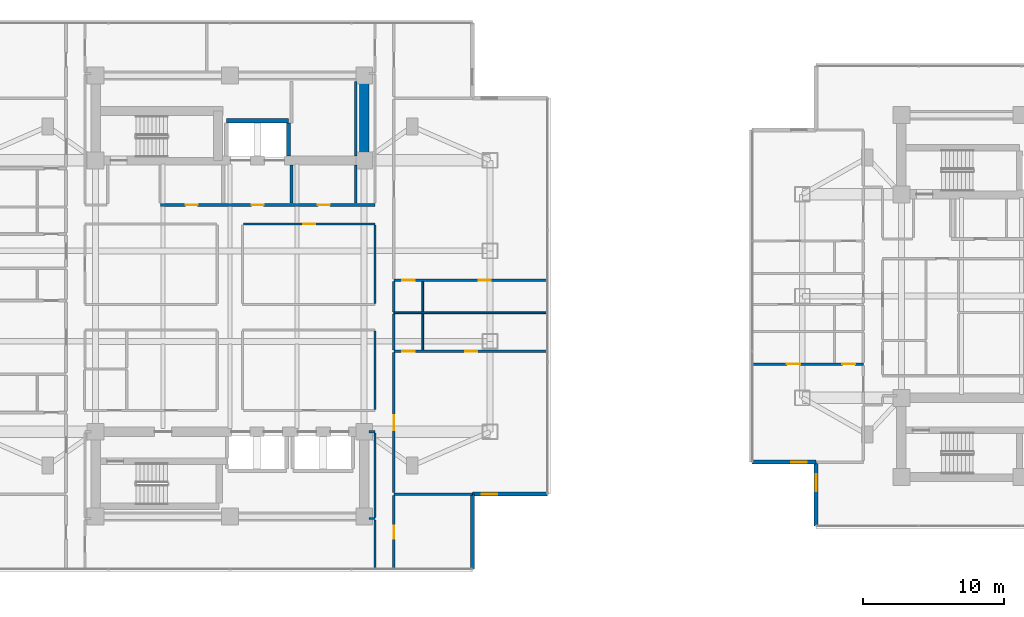
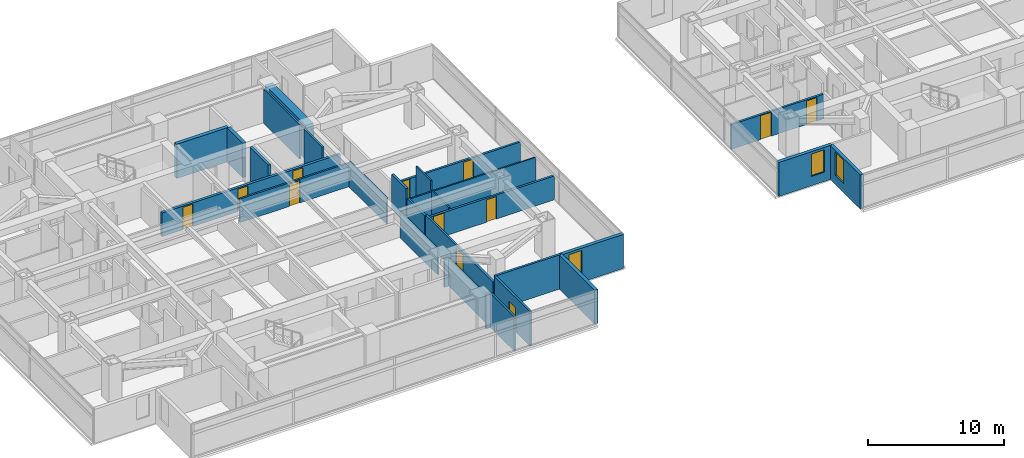
# One storey, part 16 of 26: 29 walls, 12 doors, 3 windows, 15 openings.
"""IFC4 building model written with IfcOpenShell, lengths in metres."""

from ifc_helpers import new_model, si_unit, direction, frame, frame_2d, origin, place, context, subcontext, project, spatial, rectangle, extrude, material, layer, layer_set, type_object, element, fill, save


model = new_model("IFC4")

# Units and contexts
model_context = context("Model", 3, precision=1e-05, world=origin(), true_north=direction((0.0, 1.0)))
body_context = subcontext(model_context, "Body", "Model", "MODEL_VIEW")
ifc_project = project(units=[si_unit("LENGTHUNIT", "METRE"), si_unit("AREAUNIT", "SQUARE_METRE"), si_unit("VOLUMEUNIT", "CUBIC_METRE"), si_unit("PLANEANGLEUNIT", "RADIAN"), si_unit("MASSUNIT", "GRAM", prefix="KILO")], contexts=[model_context])

# Site, building, storey
site_placement = place(None, origin())
site = spatial("IfcSite", under=ifc_project, at=site_placement, CompositionType="ELEMENT")
building_placement = place(site_placement, origin())
building = spatial("IfcBuilding", under=site, at=building_placement, Name="Mirazonda Arch Towers", CompositionType="ELEMENT")
storey_placement = place(building_placement, frame((0.0, 0.0, 114.800048828125)))
storey = spatial("IfcBuildingStorey", under=building, at=storey_placement, Name="L32", CompositionType="ELEMENT", Elevation=114.800048828125)

# Wall
ifc_material_1 = material(Name="Concrete C60/75", Category="concrete")
ifc_layer_1 = layer(ifc_material_1, 0.64990234375, Name="WALL-CORE-650")
ifc_layer_set_1 = layer_set([ifc_layer_1], Name="Concrete C60/75")
wall_type_1 = type_object("IfcWallType", Name="WALL-CORE-650", PredefinedType="SHEAR", material=ifc_layer_set_1)
wall_1_placement = place(storey_placement, frame((30.0, 37.60009765625, 0.0), z_axis=(0.0, 0.0, 1.0), x_axis=(0.0, 1.0, 0.0)))
element("IfcWall", 1, at=wall_1_placement, inside=storey, type_object=wall_type_1, Name="L32 T1N-E Core Shear Wall", PredefinedType="SHEAR", context=body_context, shape_type="SweptSolid", body=[
    extrude(rectangle(XDim=6.0, YDim=0.64990234375, at=frame_2d((3.0, 0.0))), origin(), (0.0, 0.0, 1.0), 3.079833984375),
])

# Wall, opening, window
ifc_material_2 = material(Name="Precast Concrete C40/50", Category="concrete")
ifc_layer_2 = layer(ifc_material_2, 0.280029296875, Name="WALL-EXT-WALL-280")
ifc_layer_set_2 = layer_set([ifc_layer_2], Name="Precast Concrete C40/50")
wall_type_2 = type_object("IfcWallType", Name="WALL-EXT-WALL-280", PredefinedType="SOLIDWALL", material=ifc_layer_set_2)
wall_2_placement = place(storey_placement, frame((37.6650390625, 13.990966796875, 0.0), z_axis=(0.0, 0.0, 1.0), x_axis=(1.0, 0.0, 0.0)))
wall_2 = element("IfcWall", 2, at=wall_2_placement, inside=storey, type_object=wall_type_2, Name="L32 T1 Corner Notch Return Wall WL-L32-T1-CSE1", PredefinedType="SOLIDWALL", context=body_context, shape_type="SweptSolid", body=[
    extrude(rectangle(XDim=5.304931640625, YDim=0.280029296875, at=frame_2d((2.65234375, 0.0))), origin(), (0.0, 0.0, 1.0), 3.06005859375),
])
opening_1_placement = place(wall_2_placement, frame((0.64990234375, 0.0, 0.85009765625)))
opening_1 = element("IfcOpeningElement", 3, at=opening_1_placement, cuts=wall_2, Name="Opening WN-108", PredefinedType="OPENING", context=body_context, shape_type="SweptSolid", body=[
    extrude(rectangle(XDim=1.10009765625, YDim=2.0, at=frame_2d((0.550048828125, 1.0))), frame((0.0, 0.14990234375, 0.0), z_axis=(0.0, -1.0, 0.0), x_axis=(1.0, 0.0, 0.0)), (0.0, 0.0, 1.0), 0.300048828125),
])
ifc_material_3 = material(Name="Insulated Low-E Solar Glass", Category="glass")
window_type_1 = type_object("IfcWindowType", Name="WIN-NOTCH-1100x2000", PartitioningType="SINGLE_PANEL", PredefinedType="WINDOW", material=ifc_material_3)
window_1_placement = place(opening_1_placement, origin())
window_1 = element("IfcWindow", 4, at=window_1_placement, inside=storey, type_object=window_type_1, Name="L32 Punched Facade Window WN-L32-T1-CSE1", OverallHeight=2.0, OverallWidth=1.10009765625, PartitioningType="SINGLE_PANEL", PredefinedType="WINDOW", context=body_context, shape_type="SweptSolid", body=[
    extrude(rectangle(XDim=1.10009765625, YDim=2.0, at=frame_2d((0.550048828125, 1.0))), frame((0.0, 0.030029296875, 0.0), z_axis=(0.0, -1.0, 0.0), x_axis=(1.0, 0.0, 0.0)), (0.0, 0.0, 1.0), 0.06005859375),
])
fill(opening_1, window_1)

# Wall
wall_3_placement = place(storey_placement, frame((37.6650390625, 8.68603515625, 0.0), z_axis=(0.0, 0.0, 1.0), x_axis=(0.0, 1.0, 0.0)))
element("IfcWall", 5, at=wall_3_placement, inside=storey, type_object=wall_type_2, Name="L32 T1 Corner Notch Return Wall WL-L32-T1-CSE2", PredefinedType="SOLIDWALL", context=body_context, shape_type="SweptSolid", body=[
    extrude(rectangle(XDim=5.304931640625, YDim=0.280029296875, at=frame_2d((2.65234375, 0.0))), origin(), (0.0, 0.0, 1.0), 3.06005859375),
])

# Wall, opening, window
wall_4_placement = place(storey_placement, frame((61.9697265625, 16.25244140625, 0.0), z_axis=(0.0, 0.0, 1.0), x_axis=(0.0, -1.0, 0.0)))
wall_4 = element("IfcWall", 6, at=wall_4_placement, inside=storey, type_object=wall_type_2, Name="L32 T2 Notched SW Corner Wall WL-L32-T2-CSW", PredefinedType="SOLIDWALL", context=body_context, shape_type="SweptSolid", body=[
    extrude(rectangle(XDim=4.516357421875, YDim=0.280029296875, at=frame_2d((2.25830078125, 0.0))), origin(), (0.0, 0.0, 1.0), 3.06005859375),
])
opening_2_placement = place(wall_4_placement, frame((0.85009765625, 0.0, 0.81005859375)))
opening_2 = element("IfcOpeningElement", 7, at=opening_2_placement, cuts=wall_4, Name="Opening WN-122", PredefinedType="OPENING", context=body_context, shape_type="SweptSolid", body=[
    extrude(rectangle(XDim=1.199951171875, YDim=2.10009765625, at=frame_2d((0.60009765625, 1.050048828125))), frame((0.0, 0.14990234375, 0.0), z_axis=(0.0, -1.0, 0.0), x_axis=(1.0, 0.0, 0.0)), (0.0, 0.0, 1.0), 0.300048828125),
])
window_type_2 = type_object("IfcWindowType", Name="WIN-HTL-1200x2100", PartitioningType="SINGLE_PANEL", PredefinedType="WINDOW", material=ifc_material_3)
window_2_placement = place(opening_2_placement, origin())
window_2 = element("IfcWindow", 8, at=window_2_placement, inside=storey, type_object=window_type_2, Name="L32 Punched Facade Window WN-L32-T2-CSW", OverallHeight=2.10009765625, OverallWidth=1.199951171875, PartitioningType="SINGLE_PANEL", PredefinedType="WINDOW", context=body_context, shape_type="SweptSolid", body=[
    extrude(rectangle(XDim=1.199951171875, YDim=2.10009765625, at=frame_2d((0.60009765625, 1.050048828125))), frame((0.0, 0.030029296875, 0.0), z_axis=(0.0, -1.0, 0.0), x_axis=(1.0, 0.0, 0.0)), (0.0, 0.0, 1.0), 0.06005859375),
])
fill(opening_2, window_2)

wall_5_placement = place(storey_placement, frame((57.45361328125, 16.25244140625, 0.0), z_axis=(0.0, 0.0, 1.0), x_axis=(1.0, 0.0, 0.0)))
wall_5 = element("IfcWall", 9, at=wall_5_placement, inside=storey, type_object=wall_type_2, Name="L32 T2 Corner Notch Return Wall WL-L32-T2-CSW2", PredefinedType="SOLIDWALL", context=body_context, shape_type="SweptSolid", body=[
    extrude(rectangle(XDim=4.51611328125, YDim=0.280029296875, at=frame_2d((2.258056640625, 0.0))), origin(), (0.0, 0.0, 1.0), 3.06005859375),
])
opening_3_placement = place(wall_5_placement, frame((2.76611328125, 0.0, 0.85009765625)))
opening_3 = element("IfcOpeningElement", 10, at=opening_3_placement, cuts=wall_5, Name="Opening WN-108", PredefinedType="OPENING", context=body_context, shape_type="SweptSolid", body=[
    extrude(rectangle(XDim=1.10009765625, YDim=2.0, at=frame_2d((0.550048828125, 1.0))), frame((0.0, 0.14990234375, 0.0), z_axis=(0.0, -1.0, 0.0), x_axis=(1.0, 0.0, 0.0)), (0.0, 0.0, 1.0), 0.300048828125),
])
window_3_placement = place(opening_3_placement, origin())
window_3 = element("IfcWindow", 11, at=window_3_placement, inside=storey, type_object=window_type_1, Name="L32 Punched Facade Window WN-L32-T2-CSW2", OverallHeight=2.0, OverallWidth=1.10009765625, PartitioningType="SINGLE_PANEL", PredefinedType="WINDOW", context=body_context, shape_type="SweptSolid", body=[
    extrude(rectangle(XDim=1.10009765625, YDim=2.0, at=frame_2d((0.550048828125, 1.0))), frame((0.0, 0.030029296875, 0.0), z_axis=(0.0, -1.0, 0.0), x_axis=(1.0, 0.0, 0.0)), (0.0, 0.0, 1.0), 0.06005859375),
])
fill(opening_3, window_3)

# Wall, openings, doors
ifc_material_4 = material(Name="Concrete C40/50", Category="concrete")
ifc_layer_3 = layer(ifc_material_4, 0.219970703125, Name="WALL-FFL-220")
ifc_layer_set_3 = layer_set([ifc_layer_3], Name="Concrete C40/50")
wall_type_3 = type_object("IfcWallType", Name="WALL-FFL-220", PredefinedType="SOLIDWALL", material=ifc_layer_set_3)
wall_6_placement = place(storey_placement, frame((15.590087890625, 34.449951171875, 0.0), z_axis=(0.0, 0.0, 1.0), x_axis=(1.0, 0.0, 0.0)))
wall_6 = element("IfcWall", 12, at=wall_6_placement, inside=storey, type_object=wall_type_3, Name="L32 Interior Partition 052", PredefinedType="SOLIDWALL", context=body_context, shape_type="SweptSolid", body=[
    extrude(rectangle(XDim=15.169921875, YDim=0.219970703125, at=frame_2d((7.5849609375, 0.0))), origin(), (0.0, 0.0, 1.0), 2.1240234375),
])
opening_4_placement = place(wall_6_placement, frame((6.43505859375, 0.0, 0.0)))
opening_4 = element("IfcOpeningElement", 13, at=opening_4_placement, cuts=wall_6, Name="Opening DR-128", PredefinedType="OPENING", context=body_context, shape_type="SweptSolid", body=[
    extrude(rectangle(XDim=0.85009765625, YDim=2.010009765625, at=frame_2d((0.425048828125, 1.0048828125))), frame((0.0, 0.119873046875, 0.0), z_axis=(0.0, -1.0, 0.0), x_axis=(1.0, 0.0, 0.0)), (0.0, 0.0, 1.0), 0.239990234375),
])
opening_5_placement = place(wall_6_placement, frame((11.135009765625, 0.0, 0.0)))
opening_5 = element("IfcOpeningElement", 14, at=opening_5_placement, cuts=wall_6, Name="Opening DR-128", PredefinedType="OPENING", context=body_context, shape_type="SweptSolid", body=[
    extrude(rectangle(XDim=0.85009765625, YDim=2.010009765625, at=frame_2d((0.425048828125, 1.0048828125))), frame((0.0, 0.119873046875, 0.0), z_axis=(0.0, -1.0, 0.0), x_axis=(1.0, 0.0, 0.0)), (0.0, 0.0, 1.0), 0.239990234375),
])
opening_6_placement = place(wall_6_placement, frame((1.77490234375, 0.0, 0.0)))
opening_6 = element("IfcOpeningElement", 15, at=opening_6_placement, cuts=wall_6, Name="Opening DR-128", PredefinedType="OPENING", context=body_context, shape_type="SweptSolid", body=[
    extrude(rectangle(XDim=0.85009765625, YDim=2.010009765625, at=frame_2d((0.425048828125, 1.0048828125))), frame((0.0, 0.119873046875, 0.0), z_axis=(0.0, -1.0, 0.0), x_axis=(1.0, 0.0, 0.0)), (0.0, 0.0, 1.0), 0.239990234375),
])
ifc_material_5 = material(Name="Architectural Brushed Steel S355", Category="steel")
door_type_1 = type_object("IfcDoorType", Name="DOOR-RISER-FD60-850", OperationType="NOTDEFINED", PredefinedType="DOOR", material=ifc_material_5)
door_1_placement = place(opening_4_placement, origin())
door_1 = element("IfcDoor", 16, at=door_1_placement, inside=storey, type_object=door_type_1, Name="L32 Firefighting Lift Lobby Door", OperationType="SINGLE_SWING_RIGHT", OverallHeight=2.010009765625, OverallWidth=0.85009765625, PredefinedType="DOOR", context=body_context, shape_type="SweptSolid", body=[
    extrude(rectangle(XDim=0.85009765625, YDim=2.010009765625, at=frame_2d((0.425048828125, 1.0048828125))), frame((0.0, 0.02490234375, 0.0), z_axis=(0.0, -1.0, 0.0), x_axis=(1.0, 0.0, 0.0)), (0.0, 0.0, 1.0), 0.050048828125),
])
fill(opening_4, door_1)
door_2_placement = place(opening_5_placement, origin())
door_2 = element("IfcDoor", 17, at=door_2_placement, inside=storey, type_object=door_type_1, Name="L32 Executive Reading Library Door", OperationType="SINGLE_SWING_LEFT", OverallHeight=2.010009765625, OverallWidth=0.85009765625, PredefinedType="DOOR", context=body_context, shape_type="SweptSolid", body=[
    extrude(rectangle(XDim=0.85009765625, YDim=2.010009765625, at=frame_2d((0.425048828125, 1.0048828125))), frame((0.0, 0.02490234375, 0.0), z_axis=(0.0, -1.0, 0.0), x_axis=(1.0, 0.0, 0.0)), (0.0, 0.0, 1.0), 0.050048828125),
])
fill(opening_5, door_2)
door_3_placement = place(opening_6_placement, origin())
door_3 = element("IfcDoor", 18, at=door_3_placement, inside=storey, type_object=door_type_1, Name="L32 Housekeeping Linen Room Door", OperationType="SINGLE_SWING_RIGHT", OverallHeight=2.010009765625, OverallWidth=0.85009765625, PredefinedType="DOOR", context=body_context, shape_type="SweptSolid", body=[
    extrude(rectangle(XDim=0.85009765625, YDim=2.010009765625, at=frame_2d((0.425048828125, 1.0048828125))), frame((0.0, 0.02490234375, 0.0), z_axis=(0.0, -1.0, 0.0), x_axis=(1.0, 0.0, 0.0)), (0.0, 0.0, 1.0), 0.050048828125),
])
fill(opening_6, door_3)

# Walls
wall_7_placement = place(storey_placement, frame((24.85009765625, 34.570068359375, 0.0), z_axis=(0.0, 0.0, 1.0), x_axis=(0.0, 1.0, 0.0)))
element("IfcWall", 19, at=wall_7_placement, inside=storey, type_object=wall_type_3, Name="L32 Interior Partition 103", PredefinedType="SOLIDWALL", context=body_context, shape_type="SweptSolid", body=[
    extrude(rectangle(XDim=2.7099609375, YDim=0.219970703125, at=frame_2d((1.35498046875, 0.0))), origin(), (0.0, 0.0, 1.0), 3.079833984375),
])
ifc_material_6 = material(Name="Fire-Rated Gypsum Stud Partition")
ifc_layer_4 = layer(ifc_material_6, 0.14990234375, Name="WALL-PART-CORR-150")
ifc_layer_set_4 = layer_set([ifc_layer_4], Name="Fire-Rated Gypsum Stud Partition")
wall_type_4 = type_object("IfcWallType", Name="WALL-PART-CORR-150", PredefinedType="PARTITIONING", material=ifc_layer_set_4)
wall_8_placement = place(storey_placement, frame((30.320068359375, 12.25, 0.0), z_axis=(0.0, 0.0, 1.0), x_axis=(1.0, 0.0, 0.0)))
element("IfcWall", 20, at=wall_8_placement, inside=storey, type_object=wall_type_4, Name="L32 Interior Partition 002", PredefinedType="PARTITIONING", context=body_context, shape_type="SweptSolid", body=[
    extrude(rectangle(XDim=0.43994140625, YDim=0.14990234375, at=frame_2d((0.219970703125, 0.0))), origin(), (0.0, 0.0, 1.0), 3.079833984375),
])
wall_9_placement = place(storey_placement, frame((30.320068359375, 18.39990234375, 0.0), z_axis=(0.0, 0.0, 1.0), x_axis=(1.0, 0.0, 0.0)))
element("IfcWall", 21, at=wall_9_placement, inside=storey, type_object=wall_type_4, Name="L32 Interior Partition 013", PredefinedType="PARTITIONING", context=body_context, shape_type="SweptSolid", body=[
    extrude(rectangle(XDim=0.43994140625, YDim=0.14990234375, at=frame_2d((0.219970703125, 0.0))), origin(), (0.0, 0.0, 1.0), 2.4560546875),
])

# Wall, opening, door
wall_10_placement = place(storey_placement, frame((21.43994140625, 33.10009765625, 0.0), z_axis=(0.0, 0.0, 1.0), x_axis=(1.0, 0.0, 0.0)))
wall_10 = element("IfcWall", 22, at=wall_10_placement, inside=storey, type_object=wall_type_4, Name="L32 Interior Partition 049", PredefinedType="PARTITIONING", context=body_context, shape_type="SweptSolid", body=[
    extrude(rectangle(XDim=9.320068359375, YDim=0.14990234375, at=frame_2d((4.66015625, 0.0))), origin(), (0.0, 0.0, 1.0), 2.1240234375),
])
opening_7_placement = place(wall_10_placement, frame((4.235107421875, 0.0, 0.0)))
opening_7 = element("IfcOpeningElement", 23, at=opening_7_placement, cuts=wall_10, Name="Opening DR-128", PredefinedType="OPENING", context=body_context, shape_type="SweptSolid", body=[
    extrude(rectangle(XDim=0.85009765625, YDim=2.010009765625, at=frame_2d((0.425048828125, 1.0048828125))), frame((0.0, 0.0849609375, 0.0), z_axis=(0.0, -1.0, 0.0), x_axis=(1.0, 0.0, 0.0)), (0.0, 0.0, 1.0), 0.169921875),
])
door_4_placement = place(opening_7_placement, origin())
door_4 = element("IfcDoor", 24, at=door_4_placement, inside=storey, type_object=door_type_1, Name="L32 L32 North-East Cruciform Study Door", OperationType="SINGLE_SWING_LEFT", OverallHeight=2.010009765625, OverallWidth=0.85009765625, PredefinedType="DOOR", context=body_context, shape_type="SweptSolid", body=[
    extrude(rectangle(XDim=0.85009765625, YDim=2.010009765625, at=frame_2d((0.425048828125, 1.0048828125))), frame((0.0, 0.02490234375, 0.0), z_axis=(0.0, -1.0, 0.0), x_axis=(1.0, 0.0, 0.0)), (0.0, 0.0, 1.0), 0.050048828125),
])
fill(opening_7, door_4)

# Walls
wall_11_placement = place(storey_placement, frame((29.39990234375, 34.570068359375, 0.0), z_axis=(0.0, 0.0, 1.0), x_axis=(0.0, 1.0, 0.0)))
element("IfcWall", 25, at=wall_11_placement, inside=storey, type_object=wall_type_4, Name="L32 Interior Partition 106", PredefinedType="PARTITIONING", context=body_context, shape_type="SweptSolid", body=[
    extrude(rectangle(XDim=2.7099609375, YDim=0.14990234375, at=frame_2d((1.35498046875, 0.0))), origin(), (0.0, 0.0, 1.0), 3.079833984375),
])
wall_12_placement = place(storey_placement, frame((29.39990234375, 37.919921875, 0.0), z_axis=(0.0, 0.0, 1.0), x_axis=(0.0, 1.0, 0.0)))
element("IfcWall", 26, at=wall_12_placement, inside=storey, type_object=wall_type_4, Name="L32 Interior Partition 107", PredefinedType="PARTITIONING", context=body_context, shape_type="SweptSolid", body=[
    extrude(rectangle(XDim=5.280029296875, YDim=0.14990234375, at=frame_2d((2.64013671875, 0.0))), origin(), (0.0, 0.0, 1.0), 3.079833984375),
])
wall_13_placement = place(storey_placement, frame((30.760009765625, 8.68603515625, 0.0), z_axis=(0.0, 0.0, 1.0), x_axis=(0.0, 1.0, 0.0)))
element("IfcWall", 27, at=wall_13_placement, inside=storey, type_object=wall_type_4, Name="L32 Interior Partition 108", PredefinedType="PARTITIONING", context=body_context, shape_type="SweptSolid", body=[
    extrude(rectangle(XDim=3.47900390625, YDim=0.14990234375, at=frame_2d((1.739501953125, 0.0))), origin(), (0.0, 0.0, 1.0), 3.079833984375),
])
wall_14_placement = place(storey_placement, frame((30.760009765625, 12.3349609375, 0.0), z_axis=(0.0, 0.0, 1.0), x_axis=(0.0, 1.0, 0.0)))
element("IfcWall", 28, at=wall_14_placement, inside=storey, type_object=wall_type_4, Name="L32 Interior Partition 109", PredefinedType="PARTITIONING", context=body_context, shape_type="SweptSolid", body=[
    extrude(rectangle(XDim=5.97998046875, YDim=0.14990234375, at=frame_2d((2.989990234375, 0.0))), origin(), (0.0, 0.0, 1.0), 2.4560546875),
])
for number, where, z_axis, x_axis, name in (
    (29, (30.760009765625, 19.985107421875, 0.0), (0.0, 0.0, 1.0), (0.0, 1.0, 0.0), "L32 Interior Partition 110"),
    (30, (30.760009765625, 27.485107421875, 0.0), (0.0, 0.0, 1.0), (0.0, 1.0, 0.0), "L32 Interior Partition 111"),
):
    element("IfcWall", number, at=place(storey_placement, frame(where, z_axis=z_axis, x_axis=x_axis)), inside=storey, type_object=wall_type_4, Name=name, PredefinedType="PARTITIONING", context=body_context, shape_type="SweptSolid", body=[
        extrude(rectangle(XDim=5.52978515625, YDim=0.14990234375, at=frame_2d((2.764892578125, 0.0))), origin(), (0.0, 0.0, 1.0), 2.299072265625),
    ])
ifc_material_7 = material(Name="Fire-Rated Gypsum Twin-Stud Assembly")
ifc_layer_5 = layer(ifc_material_7, 0.179931640625, Name="WALL-PART-DEMISE-180")
ifc_layer_set_5 = layer_set([ifc_layer_5], Name="Fire-Rated Gypsum Twin-Stud Assembly")
wall_type_5 = type_object("IfcWallType", Name="WALL-PART-DEMISE-180", PredefinedType="PARTITIONING", material=ifc_layer_set_5)
wall_15_placement = place(storey_placement, frame((32.10009765625, 13.990966796875, 0.0), z_axis=(0.0, 0.0, 1.0), x_axis=(1.0, 0.0, 0.0)))
element("IfcWall", 31, at=wall_15_placement, inside=storey, type_object=wall_type_5, Name="L32 Interior Partition 005", PredefinedType="PARTITIONING", context=body_context, shape_type="SweptSolid", body=[
    extrude(rectangle(XDim=5.544921875, YDim=0.179931640625, at=frame_2d((2.7724609375, 0.0))), origin(), (0.0, 0.0, 1.0), 3.079833984375),
])

# Wall, openings, doors
wall_16_placement = place(storey_placement, frame((57.452880859375, 23.19189453125, 0.0), z_axis=(0.0, 0.0, 1.0), x_axis=(1.0, 0.0, 0.0)))
wall_16 = element("IfcWall", 32, at=wall_16_placement, inside=storey, type_object=wall_type_5, Name="L32 Interior Partition 025", PredefinedType="PARTITIONING", context=body_context, shape_type="SweptSolid", body=[
    extrude(rectangle(XDim=7.8671875, YDim=0.179931640625, at=frame_2d((3.93359375, 0.0))), origin(), (0.0, 0.0, 1.0), 2.216064453125),
])
opening_8_placement = place(wall_16_placement, frame((2.45849609375, 0.0, 0.0)))
opening_8 = element("IfcOpeningElement", 33, at=opening_8_placement, cuts=wall_16, Name="Opening DR-104", PredefinedType="OPENING", context=body_context, shape_type="SweptSolid", body=[
    extrude(rectangle(XDim=0.949951171875, YDim=2.14990234375, at=frame_2d((0.47509765625, 1.074951171875))), frame((0.0, 0.099853515625, 0.0), z_axis=(0.0, -1.0, 0.0), x_axis=(1.0, 0.0, 0.0)), (0.0, 0.0, 1.0), 0.199951171875),
])
opening_9_placement = place(wall_16_placement, frame((6.376953125, 0.0, 0.0)))
opening_9 = element("IfcOpeningElement", 34, at=opening_9_placement, cuts=wall_16, Name="Opening DR-120", PredefinedType="OPENING", context=body_context, shape_type="SweptSolid", body=[
    extrude(rectangle(XDim=0.89990234375, YDim=2.10009765625, at=frame_2d((0.449951171875, 1.050048828125))), frame((0.0, 0.099853515625, 0.0), z_axis=(0.0, -1.0, 0.0), x_axis=(1.0, 0.0, 0.0)), (0.0, 0.0, 1.0), 0.199951171875),
])
door_type_2 = type_object("IfcDoorType", Name="DOOR-ROOM-950", OperationType="NOTDEFINED", PredefinedType="DOOR", material=ifc_material_5)
door_5_placement = place(opening_8_placement, origin())
door_5 = element("IfcDoor", 35, at=door_5_placement, inside=storey, type_object=door_type_2, Name="L32 Studio 1 Galley Kitchen Door", OperationType="SINGLE_SWING_RIGHT", OverallHeight=2.14990234375, OverallWidth=0.949951171875, PredefinedType="DOOR", context=body_context, shape_type="SweptSolid", body=[
    extrude(rectangle(XDim=0.949951171875, YDim=2.14990234375, at=frame_2d((0.47509765625, 1.074951171875))), frame((0.0, 0.02490234375, 0.0), z_axis=(0.0, -1.0, 0.0), x_axis=(1.0, 0.0, 0.0)), (0.0, 0.0, 1.0), 0.050048828125),
])
fill(opening_8, door_5)
door_type_3 = type_object("IfcDoorType", Name="DOOR-WC-900", OperationType="NOTDEFINED", PredefinedType="DOOR", material=ifc_material_5)
door_6_placement = place(opening_9_placement, origin())
door_6 = element("IfcDoor", 36, at=door_6_placement, inside=storey, type_object=door_type_3, Name="L32 Studio 1 Bathroom Door", OperationType="SINGLE_SWING_LEFT", OverallHeight=2.10009765625, OverallWidth=0.89990234375, PredefinedType="DOOR", context=body_context, shape_type="SweptSolid", body=[
    extrude(rectangle(XDim=0.89990234375, YDim=2.10009765625, at=frame_2d((0.449951171875, 1.050048828125))), frame((0.0, 0.02490234375, 0.0), z_axis=(0.0, -1.0, 0.0), x_axis=(1.0, 0.0, 0.0)), (0.0, 0.0, 1.0), 0.050048828125),
])
fill(opening_9, door_6)

wall_17_placement = place(storey_placement, frame((32.10009765625, 24.096923828125, 0.0), z_axis=(0.0, 0.0, 1.0), x_axis=(1.0, 0.0, 0.0)))
wall_17 = element("IfcWall", 37, at=wall_17_placement, inside=storey, type_object=wall_type_5, Name="L32 Interior Partition 026", PredefinedType="PARTITIONING", context=body_context, shape_type="SweptSolid", body=[
    extrude(rectangle(XDim=10.869873046875, YDim=0.179931640625, at=frame_2d((5.43505859375, 0.0))), origin(), (0.0, 0.0, 1.0), 2.14501953125),
])
opening_10_placement = place(wall_17_placement, frame((5.06005859375, 0.0, 0.0)))
opening_10 = element("IfcOpeningElement", 38, at=opening_10_placement, cuts=wall_17, Name="Opening DR-128", PredefinedType="OPENING", context=body_context, shape_type="SweptSolid", body=[
    extrude(rectangle(XDim=0.85009765625, YDim=2.010009765625, at=frame_2d((0.425048828125, 1.0048828125))), frame((0.0, 0.099853515625, 0.0), z_axis=(0.0, -1.0, 0.0), x_axis=(1.0, 0.0, 0.0)), (0.0, 0.0, 1.0), 0.199951171875),
])
opening_11_placement = place(wall_17_placement, frame((0.590087890625, 0.0, 0.0)))
opening_11 = element("IfcOpeningElement", 39, at=opening_11_placement, cuts=wall_17, Name="Opening DR-120", PredefinedType="OPENING", context=body_context, shape_type="SweptSolid", body=[
    extrude(rectangle(XDim=0.89990234375, YDim=2.10009765625, at=frame_2d((0.449951171875, 1.050048828125))), frame((0.0, 0.099853515625, 0.0), z_axis=(0.0, -1.0, 0.0), x_axis=(1.0, 0.0, 0.0)), (0.0, 0.0, 1.0), 0.199951171875),
])
door_7_placement = place(opening_10_placement, origin())
door_7 = element("IfcDoor", 40, at=door_7_placement, inside=storey, type_object=door_type_1, Name="L32 Suite Bedroom 1 Door", OperationType="SINGLE_SWING_LEFT", OverallHeight=2.010009765625, OverallWidth=0.85009765625, PredefinedType="DOOR", context=body_context, shape_type="SweptSolid", body=[
    extrude(rectangle(XDim=0.85009765625, YDim=2.010009765625, at=frame_2d((0.425048828125, 1.0048828125))), frame((0.0, 0.02490234375, 0.0), z_axis=(0.0, -1.0, 0.0), x_axis=(1.0, 0.0, 0.0)), (0.0, 0.0, 1.0), 0.050048828125),
])
fill(opening_10, door_7)
door_8_placement = place(opening_11_placement, origin())
door_8 = element("IfcDoor", 41, at=door_8_placement, inside=storey, type_object=door_type_3, Name="L32 Suite En-Suite Bathroom 1 Door", OperationType="SINGLE_SWING_RIGHT", OverallHeight=2.10009765625, OverallWidth=0.89990234375, PredefinedType="DOOR", context=body_context, shape_type="SweptSolid", body=[
    extrude(rectangle(XDim=0.89990234375, YDim=2.10009765625, at=frame_2d((0.449951171875, 1.050048828125))), frame((0.0, 0.02490234375, 0.0), z_axis=(0.0, -1.0, 0.0), x_axis=(1.0, 0.0, 0.0)), (0.0, 0.0, 1.0), 0.050048828125),
])
fill(opening_11, door_8)

wall_18_placement = place(storey_placement, frame((32.10009765625, 29.116943359375, 0.0), z_axis=(0.0, 0.0, 1.0), x_axis=(1.0, 0.0, 0.0)))
wall_18 = element("IfcWall", 42, at=wall_18_placement, inside=storey, type_object=wall_type_5, Name="L32 Interior Partition 039", PredefinedType="PARTITIONING", context=body_context, shape_type="SweptSolid", body=[
    extrude(rectangle(XDim=10.869873046875, YDim=0.179931640625, at=frame_2d((5.43505859375, 0.0))), origin(), (0.0, 0.0, 1.0), 2.14501953125),
])
opening_12_placement = place(wall_18_placement, frame((6.010009765625, 0.0, 0.0)))
opening_12 = element("IfcOpeningElement", 43, at=opening_12_placement, cuts=wall_18, Name="Opening DR-128", PredefinedType="OPENING", context=body_context, shape_type="SweptSolid", body=[
    extrude(rectangle(XDim=0.85009765625, YDim=2.010009765625, at=frame_2d((0.425048828125, 1.0048828125))), frame((0.0, 0.099853515625, 0.0), z_axis=(0.0, -1.0, 0.0), x_axis=(1.0, 0.0, 0.0)), (0.0, 0.0, 1.0), 0.199951171875),
])
opening_13_placement = place(wall_18_placement, frame((0.590087890625, 0.0, 0.0)))
opening_13 = element("IfcOpeningElement", 44, at=opening_13_placement, cuts=wall_18, Name="Opening DR-120", PredefinedType="OPENING", context=body_context, shape_type="SweptSolid", body=[
    extrude(rectangle(XDim=0.89990234375, YDim=2.10009765625, at=frame_2d((0.449951171875, 1.050048828125))), frame((0.0, 0.099853515625, 0.0), z_axis=(0.0, -1.0, 0.0), x_axis=(1.0, 0.0, 0.0)), (0.0, 0.0, 1.0), 0.199951171875),
])
door_9_placement = place(opening_12_placement, origin())
door_9 = element("IfcDoor", 45, at=door_9_placement, inside=storey, type_object=door_type_1, Name="L32 Suite Bedroom 2 Door", OperationType="SINGLE_SWING_RIGHT", OverallHeight=2.010009765625, OverallWidth=0.85009765625, PredefinedType="DOOR", context=body_context, shape_type="SweptSolid", body=[
    extrude(rectangle(XDim=0.85009765625, YDim=2.010009765625, at=frame_2d((0.425048828125, 1.0048828125))), frame((0.0, 0.02490234375, 0.0), z_axis=(0.0, -1.0, 0.0), x_axis=(1.0, 0.0, 0.0)), (0.0, 0.0, 1.0), 0.050048828125),
])
fill(opening_12, door_9)
door_10_placement = place(opening_13_placement, origin())
door_10 = element("IfcDoor", 46, at=door_10_placement, inside=storey, type_object=door_type_3, Name="L32 Suite En-Suite Bathroom 2 Door", OperationType="SINGLE_SWING_LEFT", OverallHeight=2.10009765625, OverallWidth=0.89990234375, PredefinedType="DOOR", context=body_context, shape_type="SweptSolid", body=[
    extrude(rectangle(XDim=0.89990234375, YDim=2.10009765625, at=frame_2d((0.449951171875, 1.050048828125))), frame((0.0, 0.02490234375, 0.0), z_axis=(0.0, -1.0, 0.0), x_axis=(1.0, 0.0, 0.0)), (0.0, 0.0, 1.0), 0.050048828125),
])
fill(opening_13, door_10)

# Wall, opening, door
wall_19_placement = place(storey_placement, frame((32.10009765625, 8.68603515625, 0.0), z_axis=(0.0, 0.0, 1.0), x_axis=(0.0, 1.0, 0.0)))
wall_19 = element("IfcWall", 47, at=wall_19_placement, inside=storey, type_object=wall_type_5, Name="L32 Interior Partition 114", PredefinedType="PARTITIONING", context=body_context, shape_type="SweptSolid", body=[
    extrude(rectangle(XDim=5.205078125, YDim=0.179931640625, at=frame_2d((2.6025390625, 0.0))), origin(), (0.0, 0.0, 1.0), 3.079833984375),
])
opening_14_placement = place(wall_19_placement, frame((2.12744140625, 0.0, 0.0)))
opening_14 = element("IfcOpeningElement", 48, at=opening_14_placement, cuts=wall_19, Name="Opening DR-104", PredefinedType="OPENING", context=body_context, shape_type="SweptSolid", body=[
    extrude(rectangle(XDim=0.949951171875, YDim=2.14990234375, at=frame_2d((0.47509765625, 1.074951171875))), frame((0.0, 0.099853515625, 0.0), z_axis=(0.0, -1.0, 0.0), x_axis=(1.0, 0.0, 0.0)), (0.0, 0.0, 1.0), 0.199951171875),
])
door_11_placement = place(opening_14_placement, origin())
door_11 = element("IfcDoor", 49, at=door_11_placement, inside=storey, type_object=door_type_2, Name="L32 South Horizon Lounge Alcove East Door", OperationType="SINGLE_SWING_RIGHT", OverallHeight=2.14990234375, OverallWidth=0.949951171875, PredefinedType="DOOR", context=body_context, shape_type="SweptSolid", body=[
    extrude(rectangle(XDim=0.949951171875, YDim=2.14990234375, at=frame_2d((0.47509765625, 1.074951171875))), frame((0.0, 0.02490234375, 0.0), z_axis=(0.0, -1.0, 0.0), x_axis=(1.0, 0.0, 0.0)), (0.0, 0.0, 1.0), 0.050048828125),
])
fill(opening_14, door_11)

wall_20_placement = place(storey_placement, frame((32.10009765625, 14.091064453125, 0.0), z_axis=(0.0, 0.0, 1.0), x_axis=(0.0, 1.0, 0.0)))
wall_20 = element("IfcWall", 50, at=wall_20_placement, inside=storey, type_object=wall_type_5, Name="L32 Interior Partition 115", PredefinedType="PARTITIONING", context=body_context, shape_type="SweptSolid", body=[
    extrude(rectangle(XDim=9.906005859375, YDim=0.179931640625, at=frame_2d((4.953125, 0.0))), origin(), (0.0, 0.0, 1.0), 2.4560546875),
])
opening_15_placement = place(wall_20_placement, frame((4.427978515625, 0.0, 0.0)))
opening_15 = element("IfcOpeningElement", 51, at=opening_15_placement, cuts=wall_20, Name="Opening DR-121", PredefinedType="OPENING", context=body_context, shape_type="SweptSolid", body=[
    extrude(rectangle(XDim=1.050048828125, YDim=2.199951171875, at=frame_2d((0.52490234375, 1.10009765625))), frame((0.0, 0.099853515625, 0.0), z_axis=(0.0, -1.0, 0.0), x_axis=(1.0, 0.0, 0.0)), (0.0, 0.0, 1.0), 0.199951171875),
])
door_type_4 = type_object("IfcDoorType", Name="DOOR-SUITE-FD60-1050", OperationType="NOTDEFINED", PredefinedType="DOOR", material=ifc_material_5)
door_12_placement = place(opening_15_placement, origin())
door_12 = element("IfcDoor", 52, at=door_12_placement, inside=storey, type_object=door_type_4, Name="L32 Presidential Hotel Suite 1 Door", OperationType="SINGLE_SWING_RIGHT", OverallHeight=2.199951171875, OverallWidth=1.050048828125, PredefinedType="DOOR", context=body_context, shape_type="SweptSolid", body=[
    extrude(rectangle(XDim=1.050048828125, YDim=2.199951171875, at=frame_2d((0.52490234375, 1.10009765625))), frame((0.0, 0.02490234375, 0.0), z_axis=(0.0, -1.0, 0.0), x_axis=(1.0, 0.0, 0.0)), (0.0, 0.0, 1.0), 0.050048828125),
])
fill(opening_15, door_12)

# Walls
wall_21_placement = place(storey_placement, frame((32.10009765625, 24.197021484375, 0.0), z_axis=(0.0, 0.0, 1.0), x_axis=(0.0, 1.0, 0.0)))
element("IfcWall", 53, at=wall_21_placement, inside=storey, type_object=wall_type_5, Name="L32 Interior Partition 116", PredefinedType="PARTITIONING", context=body_context, shape_type="SweptSolid", body=[
    extrude(rectangle(XDim=2.54736328125, YDim=0.179931640625, at=frame_2d((1.273681640625, 0.0))), origin(), (0.0, 0.0, 1.0), 2.299072265625),
])
wall_22_placement = place(storey_placement, frame((32.10009765625, 26.889404296875, 0.0), z_axis=(0.0, 0.0, 1.0), x_axis=(0.0, 1.0, 0.0)))
element("IfcWall", 54, at=wall_22_placement, inside=storey, type_object=wall_type_5, Name="L32 Interior Partition 117", PredefinedType="PARTITIONING", context=body_context, shape_type="SweptSolid", body=[
    extrude(rectangle(XDim=2.127685546875, YDim=0.179931640625, at=frame_2d((1.06396484375, 0.0))), origin(), (0.0, 0.0, 1.0), 3.079833984375),
])
ifc_material_8 = material(Name="Acoustic Fire-Rated Gypsum Partition")
ifc_layer_6 = layer(ifc_material_8, 0.125, Name="WALL-PART-UNIT-125")
ifc_layer_set_6 = layer_set([ifc_layer_6], Name="Acoustic Fire-Rated Gypsum Partition")
wall_type_6 = type_object("IfcWallType", Name="WALL-PART-UNIT-125", PredefinedType="PARTITIONING", material=ifc_layer_set_6)
wall_23_placement = place(storey_placement, frame((32.10009765625, 26.81689453125, 0.0), z_axis=(0.0, 0.0, 1.0), x_axis=(1.0, 0.0, 0.0)))
element("IfcWall", 55, at=wall_23_placement, inside=storey, type_object=wall_type_6, Name="L32 Interior Partition 033", PredefinedType="PARTITIONING", context=body_context, shape_type="SweptSolid", body=[
    extrude(rectangle(XDim=10.869873046875, YDim=0.125, at=frame_2d((5.43505859375, 0.0))), origin(), (0.0, 0.0, 1.0), 2.14501953125),
])
wall_24_placement = place(storey_placement, frame((34.139892578125, 24.197021484375, 0.0), z_axis=(0.0, 0.0, 1.0), x_axis=(0.0, 1.0, 0.0)))
element("IfcWall", 56, at=wall_24_placement, inside=storey, type_object=wall_type_6, Name="L32 Interior Partition 120", PredefinedType="PARTITIONING", context=body_context, shape_type="SweptSolid", body=[
    extrude(rectangle(XDim=2.54736328125, YDim=0.125, at=frame_2d((1.273681640625, 0.0))), origin(), (0.0, 0.0, 1.0), 2.299072265625),
])
wall_25_placement = place(storey_placement, frame((34.139892578125, 26.889404296875, 0.0), z_axis=(0.0, 0.0, 1.0), x_axis=(0.0, 1.0, 0.0)))
element("IfcWall", 57, at=wall_25_placement, inside=storey, type_object=wall_type_6, Name="L32 Interior Partition 121", PredefinedType="PARTITIONING", context=body_context, shape_type="SweptSolid", body=[
    extrude(rectangle(XDim=2.127685546875, YDim=0.125, at=frame_2d((1.06396484375, 0.0))), origin(), (0.0, 0.0, 1.0), 3.079833984375),
])
ifc_material_9 = material(Name="Concrete C50/60", Category="concrete")
ifc_layer_7 = layer(ifc_material_9, 0.300048828125, Name="WALL-SHAFT-300")
ifc_layer_set_7 = layer_set([ifc_layer_7], Name="Concrete C50/60")
wall_type_7 = type_object("IfcWallType", Name="WALL-SHAFT-300", PredefinedType="SOLIDWALL", material=ifc_layer_set_7)
wall_26_placement = place(storey_placement, frame((20.25, 40.39990234375, 0.0), z_axis=(0.0, 0.0, 1.0), x_axis=(1.0, 0.0, 0.0)))
element("IfcWall", 58, at=wall_26_placement, inside=storey, type_object=wall_type_7, Name="L32 Interior Partition 060", PredefinedType="SOLIDWALL", context=body_context, shape_type="SweptSolid", body=[
    extrude(rectangle(XDim=4.39990234375, YDim=0.300048828125, at=frame_2d((2.199951171875, 0.0))), origin(), (0.0, 0.0, 1.0), 3.079833984375),
])
wall_27_placement = place(storey_placement, frame((24.64990234375, 37.919921875, 0.0), z_axis=(0.0, 0.0, 1.0), x_axis=(0.0, 1.0, 0.0)))
element("IfcWall", 59, at=wall_27_placement, inside=storey, type_object=wall_type_7, Name="L32 Interior Partition 101", PredefinedType="SOLIDWALL", context=body_context, shape_type="SweptSolid", body=[
    extrude(rectangle(XDim=2.320068359375, YDim=0.300048828125, at=frame_2d((1.16015625, 0.0))), origin(), (0.0, 0.0, 1.0), 3.079833984375),
])

save(model, "model.ifc")
